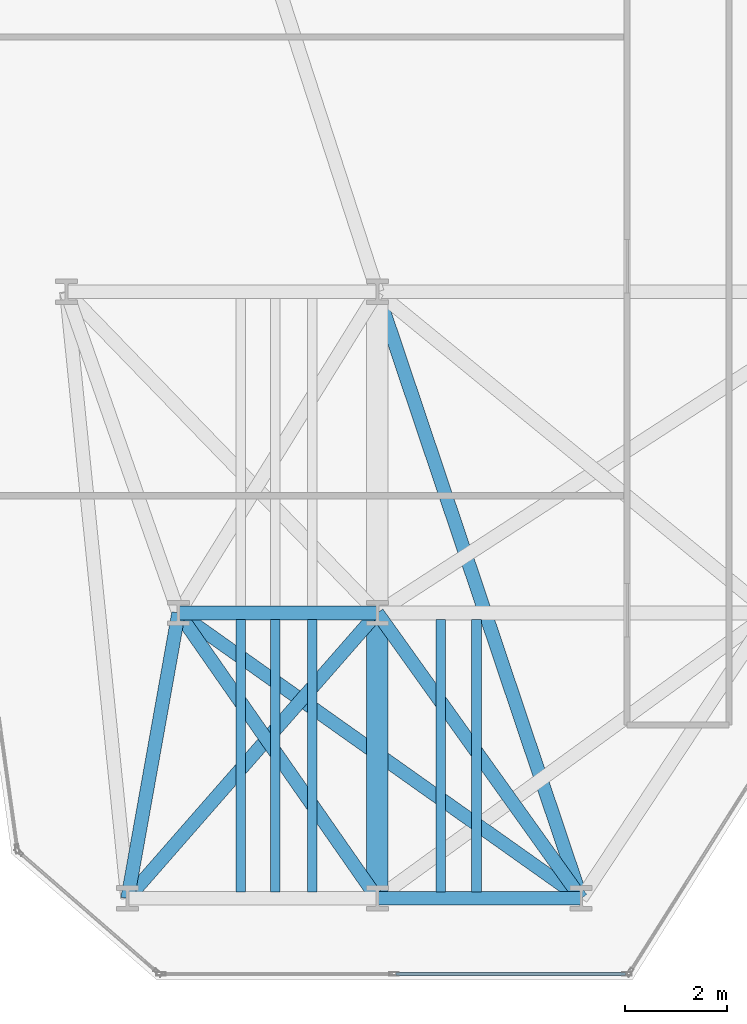
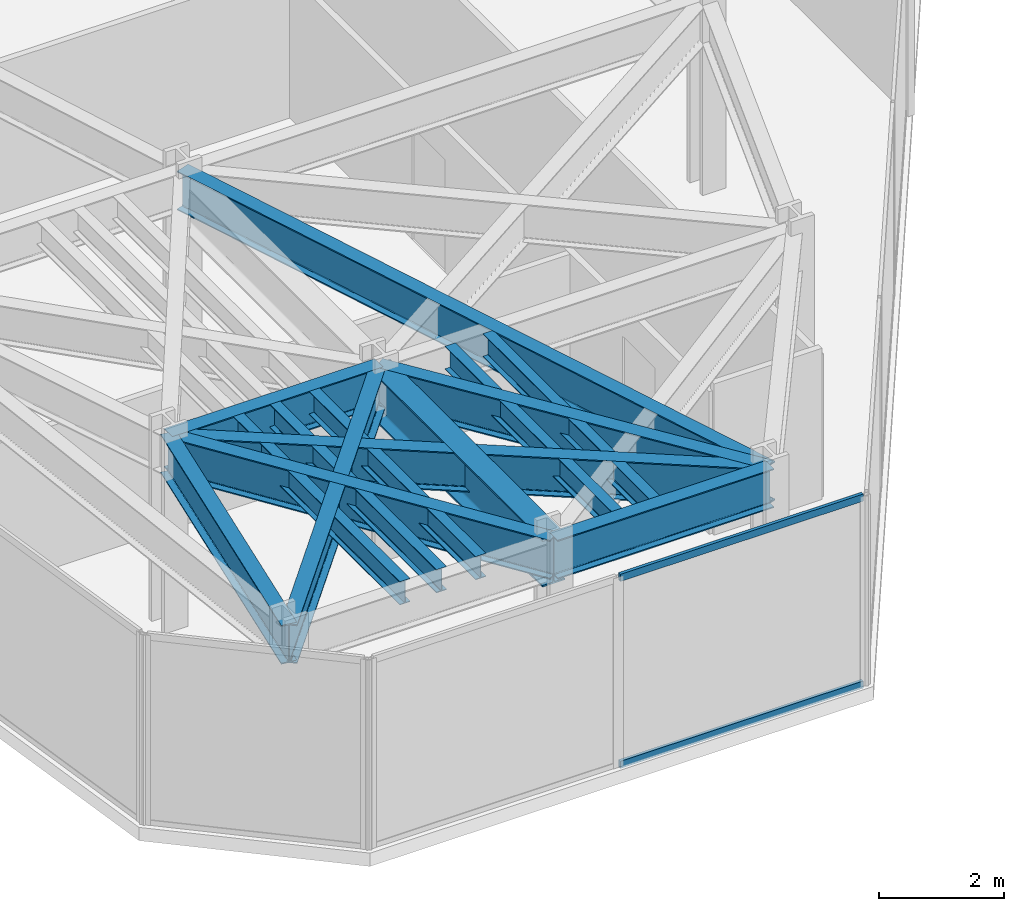
# One storey, part 3 of 25: 14 beams, 2 members, 1 element without a shape of its own.
"""IFC4 building model written with IfcOpenShell, lengths in metres."""

from ifc_helpers import new_model, si_unit, direction, frame, origin, origin_2d, place, context, subcontext, project, spatial, hollow_rectangle, i_section, extrude, material, layer, layer_set, material_profile, profile_set, type_object, element, aggregate, save


model = new_model("IFC4")

# Units and contexts
model_context = context("Model", 3, precision=1e-05, world=origin(), true_north=direction((0.0, 1.0)))
body_context = subcontext(model_context, "Body", "Model", "MODEL_VIEW")
ifc_project = project(units=[si_unit("LENGTHUNIT", "METRE"), si_unit("AREAUNIT", "SQUARE_METRE"), si_unit("VOLUMEUNIT", "CUBIC_METRE"), si_unit("PLANEANGLEUNIT", "RADIAN"), si_unit("MASSUNIT", "GRAM", prefix="KILO")], contexts=[model_context])

# Site, building, storey
site_placement = place(None, origin())
site = spatial("IfcSite", under=ifc_project, at=site_placement, CompositionType="ELEMENT")
building_placement = place(site_placement, origin())
building = spatial("IfcBuilding", under=site, at=building_placement, Name="Kravanh Interchange Tower", CompositionType="ELEMENT")
storey_placement = place(building_placement, frame((0.0, 0.0, 81.5)))
storey = spatial("IfcBuildingStorey", under=building, at=storey_placement, Name="L19", CompositionType="ELEMENT", Elevation=81.5)

# Curtain wall, members
ifc_material_1 = material(Name="Anodised Bronze Aluminium", Category="aluminium")
ifc_layer = layer(ifc_material_1, 0.179931640625)
ifc_layer_set = layer_set([ifc_layer], Name="Unitised Curtain Wall System CW-Z1 Lower Office")
curtain_wall_type = type_object("IfcCurtainWallType", Name="Unitised Curtain Wall System CW-Z1 Lower Office", PredefinedType="NOTDEFINED", material=ifc_layer_set)
curtain_wall_placement = place(storey_placement, origin())
curtain_wall = element("IfcCurtainWall", 1, at=curtain_wall_placement, inside=storey, type_object=curtain_wall_type, Name="L19 Unitised Curtain Wall CW-L19-06", PredefinedType="NOTDEFINED")
ifc_material_2 = material(Name="Anodised Bronze Aluminium", Category="aluminium")
ifc_material_profile_1 = material_profile(ifc_material_2, hollow_rectangle(XDim=0.06005859375, YDim=0.139892578125, WallThickness=0.00390625, at=origin_2d()), Name="ALU60X140X4")
ifc_profile_set_1 = profile_set([ifc_material_profile_1], Name="Anodised Bronze Aluminium")
member_type = type_object("IfcMemberType", Name="Curtain Wall Transom ALU60X140X4 Bronze", PredefinedType="USERDEFINED", material=ifc_profile_set_1)
member_1_placement = place(storey_placement, frame((22.36376953125, 1.1201171875, 0.030029296875), z_axis=(-1.0, 0.0, 0.0), x_axis=(0.0, -1.0, 0.0)))
member_1 = element("IfcMember", 2, at=member_1_placement, type_object=member_type, Name="CW-Z1 transom 1.1", ObjectType="TRANSOM", PredefinedType="USERDEFINED", context=body_context, shape_type="SweptSolid", body=[
    extrude(hollow_rectangle(XDim=0.06005859375, YDim=0.139892578125, WallThickness=0.00390625, at=origin_2d()), origin(), (0.0, 0.0, 1.0), 4.50146484375),
])
member_2_placement = place(storey_placement, frame((22.36376953125, 1.1201171875, 3.68994140625), z_axis=(-1.0, 0.0, 0.0), x_axis=(0.0, -1.0, 0.0)))
member_2 = element("IfcMember", 3, at=member_2_placement, type_object=member_type, Name="CW-Z1 transom 1.2", ObjectType="TRANSOM", PredefinedType="USERDEFINED", context=body_context, shape_type="SweptSolid", body=[
    extrude(hollow_rectangle(XDim=0.06005859375, YDim=0.139892578125, WallThickness=0.00390625, at=origin_2d()), origin(), (0.0, 0.0, 1.0), 4.50146484375),
])
aggregate(curtain_wall, [member_1, member_2])

# Beams
ifc_material_3 = material(Name="Structural Steel S355", Category="steel")
ifc_material_profile_2 = material_profile(ifc_material_3, i_section(OverallWidth=0.41796875, OverallDepth=0.927001953125, WebThickness=0.019287109375, FlangeThickness=0.031982421875, FilletRadius=0.028076171875, at=origin_2d()), Name="W36X231")
ifc_profile_set_2 = profile_set([ifc_material_profile_2], Name="Structural Steel S355")
beam_type_1 = type_object("IfcBeamType", Name="Floor Beam W36X231 Structural Steel S355", PredefinedType="BEAM", material=ifc_profile_set_2)
beam_1_placement = place(storey_placement, frame((17.5, 2.60009765625, 3.256591796875), z_axis=(0.0, 1.0, 0.0), x_axis=(-1.0, 0.0, 0.0)))
element("IfcBeam", 4, at=beam_1_placement, inside=storey, type_object=beam_type_1, Name="L19 Primary Floor Girder 103", PredefinedType="BEAM", context=body_context, shape_type="SweptSolid", body=[
    extrude(i_section(OverallWidth=0.41796875, OverallDepth=0.927001953125, WebThickness=0.019287109375, FlangeThickness=0.031982421875, FilletRadius=0.028076171875, at=origin_2d()), origin(), (0.0, 0.0, 1.0), 5.599853515625),
])
ifc_material_4 = material(Name="Structural Steel S355", Category="steel")
ifc_material_profile_3 = material_profile(ifc_material_4, i_section(OverallWidth=0.18994140625, OverallDepth=0.45703125, WebThickness=0.009033203125, FlangeThickness=0.014404296875, FilletRadius=0.01806640625, at=origin_2d()), Name="W18X50")
ifc_profile_set_3 = profile_set([ifc_material_profile_3], Name="Structural Steel S355")
beam_type_2 = type_object("IfcBeamType", Name="Floor Joist W18X50 Structural Steel S355", PredefinedType="JOIST", material=ifc_profile_set_3)
for number, where, z_axis, x_axis, name in (
    (5, (14.822021484375, 2.728515625, 3.491455078125), (0.0, 1.0, 0.0), (-1.0, 0.0, 0.0), "L19 Secondary Floor Joist 1"),
    (6, (15.498046875, 2.728515625, 3.491455078125), (0.0, 1.0, 0.0), (-1.0, 0.0, 0.0), "L19 Secondary Floor Joist 2"),
    (7, (16.22607421875, 2.728515625, 3.491455078125), (0.0, 1.0, 0.0), (-1.0, 0.0, 0.0), "L19 Secondary Floor Joist 3"),
    (8, (18.743896484375, 2.728515625, 3.491455078125), (0.0, 1.0, 0.0), (-1.0, 0.0, 0.0), "L19 Secondary Floor Joist 4"),
    (9, (19.446044921875, 2.728515625, 3.491455078125), (0.0, 1.0, 0.0), (-1.0, 0.0, 0.0), "L19 Secondary Floor Joist 5"),
):
    element("IfcBeam", number, at=place(storey_placement, frame(where, z_axis=z_axis, x_axis=x_axis)), inside=storey, type_object=beam_type_2, Name=name, PredefinedType="JOIST", context=body_context, shape_type="SweptSolid", body=[
        extrude(i_section(OverallWidth=0.18994140625, OverallDepth=0.45703125, WebThickness=0.009033203125, FlangeThickness=0.014404296875, FilletRadius=0.01806640625, at=origin_2d()), origin(), (0.0, 0.0, 1.0), 5.343017578125),
    ])
ifc_material_5 = material(Name="Structural Steel S355", Category="steel")
ifc_material_profile_4 = material_profile(ifc_material_5, i_section(OverallWidth=0.26708984375, OverallDepth=0.761962890625, WebThickness=0.014404296875, FlangeThickness=0.021484375, FilletRadius=0.02490234375, at=origin_2d()), Name="W30X116")
ifc_profile_set_4 = profile_set([ifc_material_profile_4], Name="Structural Steel S355")
beam_type_3 = type_object("IfcBeamType", Name="Floor Spandrel W30X116 Structural Steel S355", PredefinedType="SPANDREL", material=ifc_profile_set_4)
beam_2_placement = place(storey_placement, frame((12.60009765625, 2.60009765625, 3.339111328125), z_axis=(0.175795094814, 0.984426779725, 0.0), x_axis=(-0.984426779725, 0.175795094814, 0.0)))
element("IfcBeam", 10, at=beam_2_placement, inside=storey, type_object=beam_type_3, Name="L19 Perimeter Spandrel 39", PredefinedType="SPANDREL", context=body_context, shape_type="SweptSolid", body=[
    extrude(i_section(OverallWidth=0.26708984375, OverallDepth=0.761962890625, WebThickness=0.014404296875, FlangeThickness=0.021484375, FilletRadius=0.02490234375, at=origin_2d()), origin(), (0.0, 0.0, 1.0), 5.6884765625),
])
beam_3_placement = place(storey_placement, frame((12.60009765625, 2.60009765625, 3.339111328125), z_axis=(0.658506930733, 0.752574662194, 0.0), x_axis=(-0.752574662194, 0.658506930733, 0.0)))
element("IfcBeam", 11, at=beam_3_placement, inside=storey, type_object=beam_type_3, Name="L19 Perimeter Spandrel 40", PredefinedType="SPANDREL", context=body_context, shape_type="SweptSolid", body=[
    extrude(i_section(OverallWidth=0.26708984375, OverallDepth=0.761962890625, WebThickness=0.014404296875, FlangeThickness=0.021484375, FilletRadius=0.02490234375, at=origin_2d()), origin(), (0.0, 0.0, 1.0), 7.44091796875),
])
beam_4_placement = place(storey_placement, frame((17.5, 2.60009765625, 3.339111328125), z_axis=(1.0, 0.0, 0.0), x_axis=(0.0, 1.0, 0.0)))
element("IfcBeam", 12, at=beam_4_placement, inside=storey, type_object=beam_type_3, Name="L19 Perimeter Spandrel 102", PredefinedType="SPANDREL", context=body_context, shape_type="SweptSolid", body=[
    extrude(i_section(OverallWidth=0.26708984375, OverallDepth=0.761962890625, WebThickness=0.014404296875, FlangeThickness=0.021484375, FilletRadius=0.02490234375, at=origin_2d()), origin(), (0.0, 0.0, 1.0), 4.0),
])
beam_5_placement = place(storey_placement, frame((17.5, 2.60009765625, 3.339111328125), z_axis=(-0.571494183969, 0.820606116045, 0.0), x_axis=(-0.820606116045, -0.571494183969, 0.0)))
element("IfcBeam", 13, at=beam_5_placement, inside=storey, type_object=beam_type_3, Name="L19 Perimeter Spandrel 104", PredefinedType="SPANDREL", context=body_context, shape_type="SweptSolid", body=[
    extrude(i_section(OverallWidth=0.26708984375, OverallDepth=0.761962890625, WebThickness=0.014404296875, FlangeThickness=0.021484375, FilletRadius=0.02490234375, at=origin_2d()), origin(), (0.0, 0.0, 1.0), 6.823974609375),
])
beam_6_placement = place(storey_placement, frame((21.5, 2.60009765625, 3.339111328125), z_axis=(-0.581248261352, 0.813726279946, 0.0), x_axis=(-0.813726279946, -0.581248261352, 0.0)))
element("IfcBeam", 14, at=beam_6_placement, inside=storey, type_object=beam_type_3, Name="L19 Perimeter Spandrel 122", PredefinedType="SPANDREL", context=body_context, shape_type="SweptSolid", body=[
    extrude(i_section(OverallWidth=0.26708984375, OverallDepth=0.761962890625, WebThickness=0.014404296875, FlangeThickness=0.021484375, FilletRadius=0.02490234375, at=origin_2d()), origin(), (0.0, 0.0, 1.0), 6.8818359375),
])
beam_7_placement = place(storey_placement, frame((21.5, 2.60009765625, 3.339111328125), z_axis=(-0.815825239527, 0.578298520274, 0.0), x_axis=(-0.578298520274, -0.815825239527, 0.0)))
element("IfcBeam", 15, at=beam_7_placement, inside=storey, type_object=beam_type_3, Name="L19 Perimeter Spandrel 123", PredefinedType="SPANDREL", context=body_context, shape_type="SweptSolid", body=[
    extrude(i_section(OverallWidth=0.26708984375, OverallDepth=0.761962890625, WebThickness=0.014404296875, FlangeThickness=0.021484375, FilletRadius=0.02490234375, at=origin_2d()), origin(), (0.0, 0.0, 1.0), 9.683349609375),
])
beam_8_placement = place(storey_placement, frame((21.5, 2.60009765625, 3.339111328125), z_axis=(-0.318618734989, 0.947882957814, 0.0), x_axis=(-0.947882957814, -0.318618734989, 0.0)))
element("IfcBeam", 16, at=beam_8_placement, inside=storey, type_object=beam_type_3, Name="L19 Perimeter Spandrel 124", PredefinedType="SPANDREL", context=body_context, shape_type="SweptSolid", body=[
    extrude(i_section(OverallWidth=0.26708984375, OverallDepth=0.761962890625, WebThickness=0.014404296875, FlangeThickness=0.021484375, FilletRadius=0.02490234375, at=origin_2d()), origin(), (0.0, 0.0, 1.0), 12.55419921875),
])
beam_9_placement = place(storey_placement, frame((13.60009765625, 8.199951171875, 3.339111328125), z_axis=(1.0, 0.0, 0.0), x_axis=(0.0, 1.0, 0.0)))
element("IfcBeam", 17, at=beam_9_placement, inside=storey, type_object=beam_type_3, Name="L19 Perimeter Spandrel 133", PredefinedType="SPANDREL", context=body_context, shape_type="SweptSolid", body=[
    extrude(i_section(OverallWidth=0.26708984375, OverallDepth=0.761962890625, WebThickness=0.014404296875, FlangeThickness=0.021484375, FilletRadius=0.02490234375, at=origin_2d()), origin(), (0.0, 0.0, 1.0), 3.89990234375),
])

save(model, "model.ifc")
